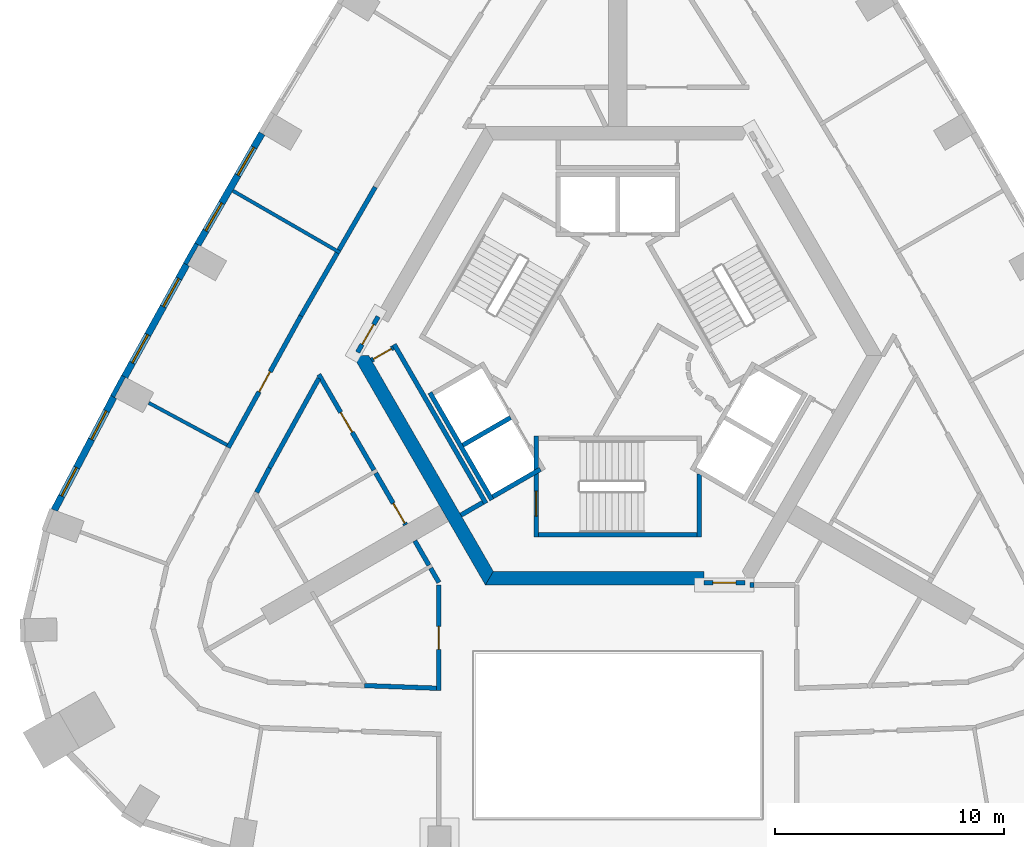
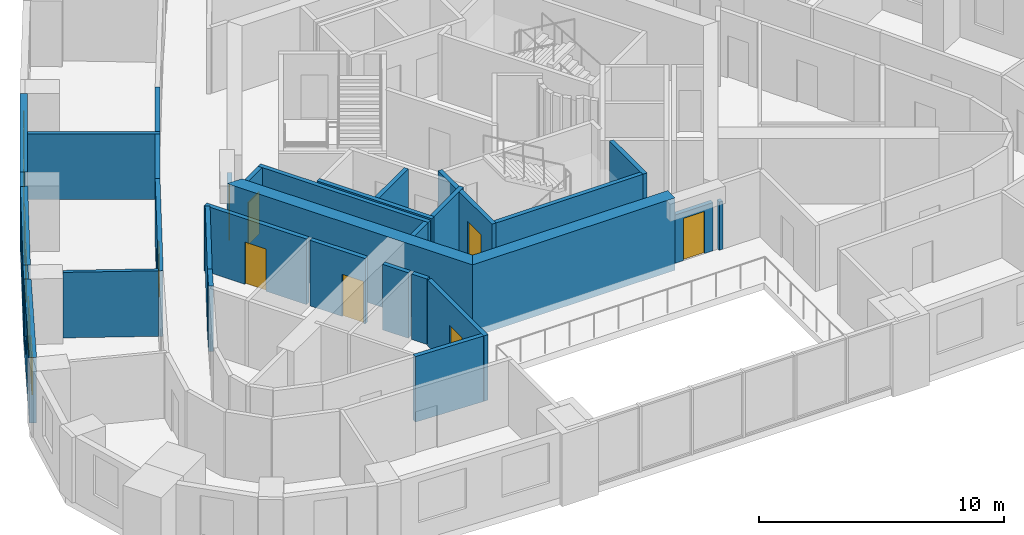
# One storey, part 4 of 10: 32 walls, 8 doors, 6 windows, 14 openings.
"""IFC4 building model written with IfcOpenShell, lengths in metres."""

import ifcopenshell
import ifcopenshell.guid

model = None  # the IFC model being written
_history = None  # IfcOwnerHistory: only IFC2X3 demands one
_inside = {}  # id of a spatial element -> (the spatial element, [elements in it])
_under = {}  # id of a project, library or spatial element -> (it, [spatial elements below it])
_declared = {}  # id of a project -> (the project, [libraries it declares])
_typed = {}  # id of a type object -> (the type object, [elements of that type])
_made_of = {}  # id of a material, layer set ... -> (it, [elements and type objects made of it])


def new_model(schema):
    """Start an empty IFC model of exactly this schema.

    Asked for "IFC4X3", IfcOpenShell would pick the latest addendum, in which some entities
    have other attributes; the version numbers below select the first issue.
    IFC2X3 requires an IfcOwnerHistory on every rooted entity: one is made here for all.
    """
    global model, _history
    if schema == "IFC4X3":
        model = ifcopenshell.file(schema_version=(4, 3, 0, 0))
    else:
        model = ifcopenshell.file(schema=schema)
    _inside.clear()
    _under.clear()
    _declared.clear()
    _typed.clear()
    _made_of.clear()
    _history = None
    if model.schema == "IFC2X3":
        org = make("IfcOrganization", Name="unknown")
        user = make(
            "IfcPersonAndOrganization",
            ThePerson=make("IfcPerson", FamilyName="unknown"),
            TheOrganization=org,
        )
        app = make(
            "IfcApplication",
            ApplicationDeveloper=org,
            Version="unknown",
            ApplicationFullName="unknown",
            ApplicationIdentifier="unknown",
        )
        _history = make(
            "IfcOwnerHistory",
            OwningUser=user,
            OwningApplication=app,
            ChangeAction="ADDED",
            CreationDate=0,
        )
    return model


def make(cls, **values):
    """One entity of the class cls with the attributes given. An attribute that is None is left unset."""
    return model.create_entity(
        cls, **{name: value for name, value in values.items() if value is not None}
    )


def rooted(cls, **values):
    """An entity with a GlobalId (a new one), such as an element, a storey or a relation."""
    return make(cls, GlobalId=ifcopenshell.guid.new(), OwnerHistory=_history, **values)


def si_unit(unit_type, name, prefix=None):
    """IfcSIUnit, for example si_unit("LENGTHUNIT", "METRE", prefix="MILLI")."""
    return make("IfcSIUnit", UnitType=unit_type, Prefix=prefix, Name=name)


def assignment(units):
    """IfcUnitAssignment: the units of a project."""
    return None if units is None else make("IfcUnitAssignment", Units=units)


def point(xyz):
    """IfcCartesianPoint."""
    return None if xyz is None else make("IfcCartesianPoint", Coordinates=xyz)


def direction(xyz):
    """IfcDirection."""
    return None if xyz is None else make("IfcDirection", DirectionRatios=xyz)


def frame(location, z_axis=None, x_axis=None):
    """IfcAxis2Placement3D, a coordinate frame: its origin and axes. An axis left out is left unset."""
    return make(
        "IfcAxis2Placement3D",
        Location=point(location),
        Axis=direction(z_axis),
        RefDirection=direction(x_axis),
    )


def frame_2d(location, x_axis=None):
    """IfcAxis2Placement2D, a coordinate frame in the plane: its origin and x axis."""
    return make(
        "IfcAxis2Placement2D", Location=point(location), RefDirection=direction(x_axis)
    )


def origin():
    """The frame at (0, 0, 0) with its axes left unset."""
    return frame((0.0, 0.0, 0.0))


def place(relative_to, where):
    """IfcLocalPlacement: puts the frame where relative to a parent placement (None: the world)."""
    return make(
        "IfcLocalPlacement", PlacementRelTo=relative_to, RelativePlacement=where
    )


def context(
    kind, dimensions, precision=None, world=None, true_north=None, identifier=None
):
    """IfcGeometricRepresentationContext, for example the 3D "Model" context."""
    return make(
        "IfcGeometricRepresentationContext",
        ContextIdentifier=identifier,
        ContextType=kind,
        CoordinateSpaceDimension=dimensions,
        Precision=precision,
        WorldCoordinateSystem=world,
        TrueNorth=true_north,
    )


def subcontext(parent, identifier, kind, view, scale=None):
    """IfcGeometricRepresentationSubContext, for example "Body" below "Model"."""
    return make(
        "IfcGeometricRepresentationSubContext",
        ContextIdentifier=identifier,
        ContextType=kind,
        ParentContext=parent,
        TargetScale=scale,
        TargetView=view,
    )


def project(units=None, contexts=None):
    """IfcProject with its units and contexts."""
    return rooted(
        "IfcProject",
        Name="project",
        RepresentationContexts=contexts,
        UnitsInContext=assignment(units),
    )


def spatial(cls, under=None, at=None, **own):
    """A site, building, storey or space (cls), placed at a placement, below another one or the project."""
    s = rooted(cls, ObjectPlacement=at, **own)
    if under is not None:
        _under.setdefault(under.id(), (under, []))[1].append(s)
    return s


def polyline(points):
    """IfcPolyline through the points."""
    return make("IfcPolyline", Points=[point(p) for p in points])


def profile(cls, at=None, kind="AREA", **sizes):
    """A parametric profile (cls). Its sizes go by their IFC names, for example OverallWidth=200.0."""
    return make(cls, ProfileType=kind, Position=at, **sizes)


def rectangle(**sizes):
    """IfcRectangleProfileDef."""
    return profile("IfcRectangleProfileDef", **sizes)


def outline(outer, holes=None, kind="AREA"):
    """IfcArbitraryClosedProfileDef: a profile drawn as a closed curve; with holes, ...WithVoids."""
    if holes is None:
        return make("IfcArbitraryClosedProfileDef", ProfileType=kind, OuterCurve=outer)
    return make(
        "IfcArbitraryProfileDefWithVoids",
        ProfileType=kind,
        OuterCurve=outer,
        InnerCurves=holes,
    )


def extrude(swept, where, along, depth):
    """IfcExtrudedAreaSolid: the profile swept, set in the frame where, extruded along a direction by depth."""
    return make(
        "IfcExtrudedAreaSolid",
        SweptArea=swept,
        Position=where,
        ExtrudedDirection=direction(along),
        Depth=depth,
    )


def shape(context_of_items, identifier, shape_type, items):
    """IfcShapeRepresentation: the items that make up one representation, for example the "Body"."""
    return make(
        "IfcShapeRepresentation",
        ContextOfItems=context_of_items,
        RepresentationIdentifier=identifier,
        RepresentationType=shape_type,
        Items=items,
    )


def material(Name=None, Category=None):
    """IfcMaterial."""
    return make("IfcMaterial", Name=Name, Category=Category)


def layer(
    of_material, thickness, ventilated=None, Name=None, Category=None, Priority=None
):
    """IfcMaterialLayer: one layer of a wall or slab, of a material (None: an air gap)."""
    return make(
        "IfcMaterialLayer",
        Material=of_material,
        LayerThickness=thickness,
        IsVentilated=ventilated,
        Name=Name,
        Category=Category,
        Priority=Priority,
    )


def layer_set(layers, Name=None):
    """IfcMaterialLayerSet."""
    return make("IfcMaterialLayerSet", MaterialLayers=layers, LayerSetName=Name)


def made_of(thing, what):
    """Note that an element or type object is made of a material, layer set ...; save() writes the relation."""
    if what is not None:
        _made_of.setdefault(what.id(), (what, []))[1].append(thing)
    return thing


def type_object(cls, material=None, **own):
    """A type object (cls), such as IfcWallType, which elements share."""
    return made_of(rooted(cls, **own), material)


def element(
    cls,
    number,
    at=None,
    inside=None,
    cuts=None,
    type_object=None,
    material=None,
    context=None,
    identifier="Body",
    shape_type=None,
    held_by="IfcProductDefinitionShape",
    body=None,
    shapes=None,
    **own,
):
    """One element of the class cls, such as IfcWall. Its Tag is "e" and its number.

    at: its placement. inside: the storey or other place that contains it. cuts: it is an
    opening in that element (IfcRelVoidsElement). A single representation is given by context,
    identifier, shape_type and body (its items); several are given by shapes. held_by: the class
    of the entity that holds the representations. save() writes the other relations.
    """
    e = rooted(cls, Tag="e%d" % number, ObjectPlacement=at, **own)
    if body is not None:
        shapes = [shape(context, identifier, shape_type, body)]
    if shapes is not None:
        e.Representation = make(held_by, Representations=shapes)
    if inside is not None:
        _inside.setdefault(inside.id(), (inside, []))[1].append(e)
    if cuts is not None:
        rooted(
            "IfcRelVoidsElement", RelatingBuildingElement=cuts, RelatedOpeningElement=e
        )
    if type_object is not None:
        _typed.setdefault(type_object.id(), (type_object, []))[1].append(e)
    return made_of(e, material)


def fill(opening, filler):
    """IfcRelFillsElement: the door or window that sits in an opening."""
    return rooted(
        "IfcRelFillsElement",
        RelatingOpeningElement=opening,
        RelatedBuildingElement=filler,
    )


def aggregate(whole, parts):
    """IfcRelAggregates: a whole, such as a stair, and the parts it consists of."""
    return rooted("IfcRelAggregates", RelatingObject=whole, RelatedObjects=parts)


def save(model, path):
    """Write the relations noted so far, then the file.

    IfcRelAggregates (storeys below a building ...), IfcRelContainedInSpatialStructure (elements
    in a storey), IfcRelDefinesByType, IfcRelAssociatesMaterial and IfcRelDeclares: one each for
    every whole, place, type object, material and project.
    """
    for whole, parts in _under.values():
        aggregate(whole, parts)
    for where, things in _inside.values():
        rooted(
            "IfcRelContainedInSpatialStructure",
            RelatedElements=things,
            RelatingStructure=where,
        )
    for kind, things in _typed.values():
        rooted("IfcRelDefinesByType", RelatedObjects=things, RelatingType=kind)
    for what, things in _made_of.values():
        rooted("IfcRelAssociatesMaterial", RelatedObjects=things, RelatingMaterial=what)
    for by, libraries in _declared.values():
        rooted("IfcRelDeclares", RelatingContext=by, RelatedDefinitions=libraries)
    model.write(path)


model = new_model("IFC4")

# Units and contexts
model_context = context("Model", 3, precision=1e-05, world=origin(), true_north=direction((0.0, 1.0)))
body_context = subcontext(model_context, "Body", "Model", "MODEL_VIEW")
ifc_project = project(units=[si_unit("LENGTHUNIT", "METRE"), si_unit("AREAUNIT", "SQUARE_METRE"), si_unit("VOLUMEUNIT", "CUBIC_METRE"), si_unit("PLANEANGLEUNIT", "RADIAN"), si_unit("MASSUNIT", "GRAM", prefix="KILO")], contexts=[model_context])

# Site, building, storey
site_placement = place(None, origin())
site = spatial("IfcSite", under=ifc_project, at=site_placement, CompositionType="ELEMENT")
building_placement = place(site_placement, origin())
building = spatial("IfcBuilding", under=site, at=building_placement, Name="Entoto Arch Interchange Tower", CompositionType="ELEMENT")
storey_placement = place(building_placement, frame((0.0, 0.0, 245.0)))
storey = spatial("IfcBuildingStorey", under=building, at=storey_placement, Name="L55", CompositionType="ELEMENT", Elevation=245.0)

# Wall, opening, door
ifc_material_1 = material(Name="Reinforced concrete C40/50", Category="concrete")
ifc_layer_1 = layer(ifc_material_1, 0.199951171875)
ifc_layer_set_1 = layer_set([ifc_layer_1], Name="Reinforced concrete C40/50")
wall_type_1 = type_object("IfcWallType", Name="CORE GAP INFILL WALL", PredefinedType="PARTITIONING", material=ifc_layer_set_1)
wall_1_placement = place(storey_placement, frame((3.75, -7.39990234375, 0.0), z_axis=(0.0, 0.0, 1.0), x_axis=(1.0, 0.0, 0.0)))
wall_1 = element("IfcWall", 1, at=wall_1_placement, inside=storey, type_object=wall_type_1, Name="wall:L55:gap1", PredefinedType="PARTITIONING", context=body_context, shape_type="SweptSolid", body=[
    extrude(rectangle(XDim=1.7939453125, YDim=0.199951171875, at=frame_2d((0.89697265625, 0.0))), origin(), (0.0, 0.0, 1.0), 2.39990234375),
])
opening_1_placement = place(wall_1_placement, frame((0.39697265625, 0.0, 0.0)))
opening_1 = element("IfcOpeningElement", 2, at=opening_1_placement, cuts=wall_1, Name="Opening L55-D91", PredefinedType="OPENING", context=body_context, shape_type="SweptSolid", body=[
    extrude(rectangle(XDim=1.0, YDim=2.10009765625, at=frame_2d((0.5, 1.050048828125))), frame((0.0, 0.10986328125, 0.0), z_axis=(0.0, -1.0, 0.0), x_axis=(1.0, 0.0, 0.0)), (0.0, 0.0, 1.0), 0.219970703125),
])
ifc_material_2 = material(Name="Fire-rated Steel S235 door and frame", Category="steel")
door_type_1 = type_object("IfcDoorType", Name="DOOR FD-10 1000x2100", OperationType="SINGLE_SWING_LEFT", PredefinedType="DOOR", material=ifc_material_2)
door_1_placement = place(opening_1_placement, origin())
door_1 = element("IfcDoor", 3, at=door_1_placement, inside=storey, type_object=door_type_1, Name="door:L55:gap1", OperationType="SINGLE_SWING_LEFT", OverallHeight=2.10009765625, OverallWidth=1.0, PredefinedType="DOOR", context=body_context, shape_type="SweptSolid", body=[
    extrude(rectangle(XDim=1.0, YDim=2.10009765625, at=frame_2d((0.5, 1.050048828125))), frame((0.0, 0.02490234375, 0.0), z_axis=(0.0, -1.0, 0.0), x_axis=(1.0, 0.0, 0.0)), (0.0, 0.0, 1.0), 0.050048828125),
])
fill(opening_1, door_1)

wall_2_placement = place(storey_placement, frame((-10.448974609375, 4.202880859375, 0.0), z_axis=(0.0, 0.0, 1.0), x_axis=(-0.499914839587, -0.866074565589, 0.0)))
wall_2 = element("IfcWall", 4, at=wall_2_placement, inside=storey, type_object=wall_type_1, Name="wall:L55:gap3", PredefinedType="PARTITIONING", context=body_context, shape_type="SweptSolid", body=[
    extrude(rectangle(XDim=1.794189453125, YDim=0.199951171875, at=frame_2d((0.89697265625, 0.0))), origin(), (0.0, 0.0, 1.0), 2.39990234375),
])
opening_2_placement = place(wall_2_placement, frame((0.39697265625, 0.0, 0.0)))
opening_2 = element("IfcOpeningElement", 5, at=opening_2_placement, cuts=wall_2, Name="Opening L55-D93", PredefinedType="OPENING", context=body_context, shape_type="SweptSolid", body=[
    extrude(rectangle(XDim=1.0, YDim=2.10009765625, at=frame_2d((0.5, 1.050048828125))), frame((0.0, 0.10986328125, 0.0), z_axis=(0.0, -1.0, 0.0), x_axis=(1.0, 0.0, 0.0)), (0.0, 0.0, 1.0), 0.219970703125),
])
door_2_placement = place(opening_2_placement, origin())
door_2 = element("IfcDoor", 6, at=door_2_placement, inside=storey, type_object=door_type_1, Name="door:L55:gap3", OperationType="SINGLE_SWING_LEFT", OverallHeight=2.10009765625, OverallWidth=1.0, PredefinedType="DOOR", context=body_context, shape_type="SweptSolid", body=[
    extrude(rectangle(XDim=1.0, YDim=2.10009765625, at=frame_2d((0.5, 1.050048828125))), frame((0.0, 0.02490234375, 0.0), z_axis=(0.0, -1.0, 0.0), x_axis=(1.0, 0.0, 0.0)), (0.0, 0.0, 1.0), 0.050048828125),
])
fill(opening_2, door_2)

# Walls
ifc_material_3 = material(Name="Concrete C40/50", Category="concrete")
ifc_layer_2 = layer(ifc_material_3, 0.60009765625)
ifc_layer_set_2 = layer_set([ifc_layer_2], Name="Concrete C40/50")
wall_type_2 = type_object("IfcWallType", Name="Core wall 600 C40/50", PredefinedType="SHEAR", material=ifc_layer_set_2)
wall_3_placement = place(storey_placement, frame((0.0, 0.0, -0.340087890625)))
element("IfcWall", 7, at=wall_3_placement, inside=storey, type_object=wall_type_2, Name="Core wall SW L55", PredefinedType="SHEAR", context=body_context, shape_type="SweptSolid", body=[
    extrude(outline(polyline([(-11.547119140625, 2.5), (-5.77392578125, -7.5), (-5.427001953125, -6.89990234375), (-10.85400390625, 2.5), (-11.547119140625, 2.5)])), origin(), (0.0, 0.0, 1.0), 3.60009765625),
])
wall_4_placement = place(storey_placement, frame((0.0, 0.0, -0.340087890625)))
element("IfcWall", 8, at=wall_4_placement, inside=storey, type_object=wall_type_2, Name="Core wall S L55", PredefinedType="SHEAR", context=body_context, shape_type="SweptSolid", body=[
    extrude(outline(polyline([(3.75, -7.5), (3.75, -6.89990234375), (-5.427001953125, -6.89990234375), (-5.77392578125, -7.5), (3.75, -7.5)])), origin(), (0.0, 0.0, 1.0), 3.60009765625),
])
ifc_layer_3 = layer(ifc_material_3, 0.199951171875)
ifc_layer_set_3 = layer_set([ifc_layer_3], Name="Concrete C40/50")
wall_type_3 = type_object("IfcWallType", Name="LIFT SHAFT WALL 200", PredefinedType="STANDARD", material=ifc_layer_set_3)
wall_5_placement = place(storey_placement, frame((-8.19189453125, 0.887939453125, 0.0), z_axis=(0.0, 0.0, 1.0), x_axis=(0.500034260056, -0.866005622828, 0.0)))
element("IfcWall", 9, at=wall_5_placement, inside=storey, type_object=wall_type_3, Name="Shaft wall SW1 back", PredefinedType="STANDARD", context=body_context, shape_type="SweptSolid", body=[
    extrude(rectangle(XDim=5.3994140625, YDim=0.199951171875, at=frame_2d((2.69970703125, 0.0))), origin(), (0.0, 0.0, 1.0), 3.260009765625),
])
wall_6_placement = place(storey_placement, frame((-4.677001953125, -0.199951171875, 0.0), z_axis=(0.0, 0.0, 1.0), x_axis=(-0.865973769406, -0.500089422704, 0.0)))
element("IfcWall", 10, at=wall_6_placement, inside=storey, type_object=wall_type_3, Name="Shaft wall SW1 cross 2", PredefinedType="STANDARD", context=body_context, shape_type="SweptSolid", body=[
    extrude(rectangle(XDim=2.3994140625, YDim=0.199951171875, at=frame_2d((1.19970703125, 0.0))), origin(), (0.0, 0.0, 1.0), 3.260009765625),
])
wall_7_placement = place(storey_placement, frame((-3.376953125, -2.451904296875, 0.0), z_axis=(0.0, 0.0, 1.0), x_axis=(-0.865955154139, -0.50012165622, 0.0)))
element("IfcWall", 11, at=wall_7_placement, inside=storey, type_object=wall_type_3, Name="Shaft wall SW1 cross 3", PredefinedType="STANDARD", context=body_context, shape_type="SweptSolid", body=[
    extrude(rectangle(XDim=2.39990234375, YDim=0.199951171875, at=frame_2d((1.199951171875, 0.0))), origin(), (0.0, 0.0, 1.0), 3.260009765625),
])
ifc_material_4 = material(Name="Gypsum board partition on steel studs", Category="steel")
ifc_layer_4 = layer(ifc_material_4, 0.14990234375)
ifc_layer_set_4 = layer_set([ifc_layer_4], Name="Gypsum board partition on steel studs")
wall_type_4 = type_object("IfcWallType", Name="PARTITION 150", PredefinedType="PARTITIONING", material=ifc_layer_set_4)
wall_8_placement = place(storey_placement, frame((-12.110107421875, 6.991943359375, 0.0), z_axis=(0.0, 0.0, 1.0), x_axis=(-0.865994316829, 0.50005384032, 0.0)))
element("IfcWall", 12, at=wall_8_placement, inside=storey, type_object=wall_type_4, Name="wall:L55:p111", PredefinedType="PARTITIONING", context=body_context, shape_type="SweptSolid", body=[
    extrude(rectangle(XDim=5.3994140625, YDim=0.14990234375, at=frame_2d((2.69970703125, 0.0))), origin(), (0.0, 0.0, 1.0), 3.260009765625),
])
wall_9_placement = place(storey_placement, frame((-17.034912109375, -1.39599609375, 0.0), z_axis=(0.0, 0.0, 1.0), x_axis=(-0.88055795398, 0.473938487234, 0.0)))
element("IfcWall", 13, at=wall_9_placement, inside=storey, type_object=wall_type_4, Name="wall:L55:p112", PredefinedType="PARTITIONING", context=body_context, shape_type="SweptSolid", body=[
    extrude(rectangle(XDim=3.88037109375, YDim=0.14990234375, at=frame_2d((1.940185546875, 0.0))), origin(), (0.0, 0.0, 1.0), 3.260009765625),
])

# Wall, opening, door
ifc_layer_5 = layer(ifc_material_4, 0.199951171875)
ifc_layer_set_5 = layer_set([ifc_layer_5], Name="Gypsum board partition on steel studs")
wall_type_5 = type_object("IfcWallType", Name="PARTITION 200", PredefinedType="PARTITIONING", material=ifc_layer_set_5)
wall_10_placement = place(storey_placement, frame((-10.6298828125, -2.488037109375, 0.0), z_axis=(0.0, 0.0, 1.0), x_axis=(-0.500108649621, 0.865962665808, 0.0)))
wall_10 = element("IfcWall", 14, at=wall_10_placement, inside=storey, type_object=wall_type_5, Name="wall:L55:p022", PredefinedType="PARTITIONING", context=body_context, shape_type="SweptSolid", body=[
    extrude(rectangle(XDim=4.8154296875, YDim=0.199951171875, at=frame_2d((2.40771484375, 0.0))), origin(), (0.0, 0.0, 1.0), 3.260009765625),
])
opening_3_placement = place(wall_10_placement, frame((1.907958984375, 0.0, 0.0)))
opening_3 = element("IfcOpeningElement", 15, at=opening_3_placement, cuts=wall_10, Name="Opening L55-D19", PredefinedType="OPENING", context=body_context, shape_type="SweptSolid", body=[
    extrude(rectangle(XDim=1.0, YDim=2.10009765625, at=frame_2d((0.5, 1.050048828125))), frame((0.0, 0.10986328125, 0.0), z_axis=(0.0, -1.0, 0.0), x_axis=(1.0, 0.0, 0.0)), (0.0, 0.0, 1.0), 0.219970703125),
])
ifc_material_5 = material(Name="Timber door leaf in Steel S235 frame", Category="steel")
door_type_2 = type_object("IfcDoorType", Name="DOOR DS-10 1000x2100", OperationType="SINGLE_SWING_LEFT", PredefinedType="DOOR", material=ifc_material_5)
door_3_placement = place(opening_3_placement, origin())
door_3 = element("IfcDoor", 16, at=door_3_placement, inside=storey, type_object=door_type_2, Name="door:L55:19", OperationType="SINGLE_SWING_LEFT", OverallHeight=2.10009765625, OverallWidth=1.0, PredefinedType="DOOR", context=body_context, shape_type="SweptSolid", body=[
    extrude(rectangle(XDim=1.0, YDim=2.10009765625, at=frame_2d((0.5, 1.050048828125))), frame((0.0, 0.02490234375, 0.0), z_axis=(0.0, -1.0, 0.0), x_axis=(1.0, 0.0, 0.0)), (0.0, 0.0, 1.0), 0.050048828125),
])
fill(opening_3, door_3)

# Walls
wall_11_placement = place(storey_placement, frame((-13.035888671875, 1.508056640625, 0.0), z_axis=(0.0, 0.0, 1.0), x_axis=(-0.482884552822, -0.87568402329, 0.0)))
element("IfcWall", 17, at=wall_11_placement, inside=storey, type_object=wall_type_5, Name="wall:L55:p023", PredefinedType="PARTITIONING", context=body_context, shape_type="SweptSolid", body=[
    extrude(rectangle(XDim=4.45263671875, YDim=0.199951171875, at=frame_2d((2.226318359375, 0.0))), origin(), (0.0, 0.0, 1.0), 3.260009765625),
])
wall_12_placement = place(storey_placement, frame((-15.18603515625, -2.39111328125, 0.0), z_axis=(0.0, 0.0, 1.0), x_axis=(-0.464794189951, -0.885418748948, 0.0)))
element("IfcWall", 18, at=wall_12_placement, inside=storey, type_object=wall_type_5, Name="wall:L55:p024", PredefinedType="PARTITIONING", context=body_context, shape_type="SweptSolid", body=[
    extrude(rectangle(XDim=1.205078125, YDim=0.199951171875, at=frame_2d((0.6025390625, 0.0))), origin(), (0.0, 0.0, 1.0), 3.260009765625),
])
wall_13_placement = place(storey_placement, frame((-8.235107421875, -6.635986328125, 0.0), z_axis=(0.0, 0.0, 1.0), x_axis=(-0.500089055364, 0.86597398154, 0.0)))
element("IfcWall", 19, at=wall_13_placement, inside=storey, type_object=wall_type_5, Name="wall:L55:p025", PredefinedType="PARTITIONING", context=body_context, shape_type="SweptSolid", body=[
    extrude(rectangle(XDim=1.229736328125, YDim=0.199951171875, at=frame_2d((0.61474609375, 0.0))), origin(), (0.0, 0.0, 1.0), 3.260009765625),
])
wall_14_placement = place(storey_placement, frame((-7.800048828125, -7.389892578125, 0.0), z_axis=(0.0, 0.0, 1.0), x_axis=(-0.499712670472, 0.866191230024, 0.0)))
element("IfcWall", 20, at=wall_14_placement, inside=storey, type_object=wall_type_5, Name="wall:L55:p026", PredefinedType="PARTITIONING", context=body_context, shape_type="SweptSolid", body=[
    extrude(rectangle(XDim=0.72021484375, YDim=0.199951171875, at=frame_2d((0.360107421875, 0.0))), origin(), (0.0, 0.0, 1.0), 3.260009765625),
])
wall_15_placement = place(storey_placement, frame((-11.052001953125, -11.884033203125, 0.0), z_axis=(0.0, 0.0, 1.0), x_axis=(0.999335249241, -0.036456270033, 0.0)))
element("IfcWall", 21, at=wall_15_placement, inside=storey, type_object=wall_type_5, Name="wall:L55:p027", PredefinedType="PARTITIONING", context=body_context, shape_type="SweptSolid", body=[
    extrude(rectangle(XDim=3.154296875, YDim=0.199951171875, at=frame_2d((1.5771484375, 0.0))), origin(), (0.0, 0.0, 1.0), 3.260009765625),
])
wall_16_placement = place(storey_placement, frame((-12.158935546875, 7.10693359375, 0.0), z_axis=(0.0, 0.0, 1.0), x_axis=(0.499953838557, 0.866052053466, 0.0)))
element("IfcWall", 22, at=wall_16_placement, inside=storey, type_object=wall_type_5, Name="wall:L55:p052", PredefinedType="PARTITIONING", context=body_context, shape_type="SweptSolid", body=[
    extrude(rectangle(XDim=3.166259765625, YDim=0.199951171875, at=frame_2d((1.5830078125, 0.0))), origin(), (0.0, 0.0, 1.0), 3.260009765625),
])

# Wall, opening, door
wall_17_placement = place(storey_placement, frame((-16.98291015625, -1.509033203125, 0.0), z_axis=(0.0, 0.0, 1.0), x_axis=(0.482785999899, 0.875738361785, 0.0)))
wall_17 = element("IfcWall", 23, at=wall_17_placement, inside=storey, type_object=wall_type_5, Name="wall:L55:p054", PredefinedType="PARTITIONING", context=body_context, shape_type="SweptSolid", body=[
    extrude(rectangle(XDim=6.557861328125, YDim=0.199951171875, at=frame_2d((3.27880859375, 0.0))), origin(), (0.0, 0.0, 1.0), 3.260009765625),
])
opening_4_placement = place(wall_17_placement, frame((2.779052734375, 0.0, 0.0)))
opening_4 = element("IfcOpeningElement", 24, at=opening_4_placement, cuts=wall_17, Name="Opening L55-D10", PredefinedType="OPENING", context=body_context, shape_type="SweptSolid", body=[
    extrude(rectangle(XDim=1.0, YDim=2.10009765625, at=frame_2d((0.5, 1.050048828125))), frame((0.0, 0.10986328125, 0.0), z_axis=(0.0, -1.0, 0.0), x_axis=(1.0, 0.0, 0.0)), (0.0, 0.0, 1.0), 0.219970703125),
])
door_4_placement = place(opening_4_placement, origin())
door_4 = element("IfcDoor", 25, at=door_4_placement, inside=storey, type_object=door_type_2, Name="door:L55:10", OperationType="SINGLE_SWING_LEFT", OverallHeight=2.10009765625, OverallWidth=1.0, PredefinedType="DOOR", context=body_context, shape_type="SweptSolid", body=[
    extrude(rectangle(XDim=1.0, YDim=2.10009765625, at=frame_2d((0.5, 1.050048828125))), frame((0.0, 0.02490234375, 0.0), z_axis=(0.0, -1.0, 0.0), x_axis=(1.0, 0.0, 0.0)), (0.0, 0.0, 1.0), 0.050048828125),
])
fill(opening_4, door_4)

# Walls
wall_18_placement = place(storey_placement, frame((-13.81689453125, 4.23388671875, 0.0), z_axis=(0.0, 0.0, 1.0), x_axis=(0.499820325382, 0.866129114125, 0.0)))
element("IfcWall", 26, at=wall_18_placement, inside=storey, type_object=wall_type_5, Name="wall:L55:p055", PredefinedType="PARTITIONING", context=body_context, shape_type="SweptSolid", body=[
    extrude(rectangle(XDim=3.167236328125, YDim=0.199951171875, at=frame_2d((1.58349609375, 0.0))), origin(), (0.0, 0.0, 1.0), 3.260009765625),
])
wall_19_placement = place(storey_placement, frame((-5.887939453125, -3.902099609375, 0.0), z_axis=(0.0, 0.0, 1.0), x_axis=(-0.86621513555, -0.499671230855, 0.0)))
element("IfcWall", 27, at=wall_19_placement, inside=storey, type_object=wall_type_5, Name="wall:L55:p068", PredefinedType="PARTITIONING", context=body_context, shape_type="SweptSolid", body=[
    extrude(rectangle(XDim=1.100341796875, YDim=0.199951171875, at=frame_2d((0.55029296875, 0.0))), origin(), (0.0, 0.0, 1.0), 3.260009765625),
])

# Wall, opening, door
wall_20_placement = place(storey_placement, frame((-10.740966796875, 2.302978515625, 0.0), z_axis=(0.0, 0.0, 1.0), x_axis=(0.866063652425, 0.499933745558, 0.0)))
wall_20 = element("IfcWall", 28, at=wall_20_placement, inside=storey, type_object=wall_type_5, Name="wall:L55:p069", PredefinedType="PARTITIONING", context=body_context, shape_type="SweptSolid", body=[
    extrude(rectangle(XDim=1.100341796875, YDim=0.199951171875, at=frame_2d((0.55029296875, 0.0))), origin(), (0.0, 0.0, 1.0), 3.260009765625),
])
opening_5_placement = place(wall_20_placement, frame((0.10009765625, 0.0, 0.0)))
opening_5 = element("IfcOpeningElement", 29, at=opening_5_placement, cuts=wall_20, Name="Opening L55-D30", PredefinedType="OPENING", context=body_context, shape_type="SweptSolid", body=[
    extrude(rectangle(XDim=0.89990234375, YDim=2.10009765625, at=frame_2d((0.449951171875, 1.050048828125))), frame((0.0, 0.10986328125, 0.0), z_axis=(0.0, -1.0, 0.0), x_axis=(1.0, 0.0, 0.0)), (0.0, 0.0, 1.0), 0.219970703125),
])
door_type_3 = type_object("IfcDoorType", Name="DOOR DS-09 900x2100", OperationType="SINGLE_SWING_LEFT", PredefinedType="DOOR", material=ifc_material_5)
door_5_placement = place(opening_5_placement, origin())
door_5 = element("IfcDoor", 30, at=door_5_placement, inside=storey, type_object=door_type_3, Name="door:L55:30", OperationType="SINGLE_SWING_RIGHT", OverallHeight=2.10009765625, OverallWidth=0.89990234375, PredefinedType="DOOR", context=body_context, shape_type="SweptSolid", body=[
    extrude(rectangle(XDim=0.89990234375, YDim=2.10009765625, at=frame_2d((0.449951171875, 1.050048828125))), frame((0.0, 0.02490234375, 0.0), z_axis=(0.0, -1.0, 0.0), x_axis=(1.0, 0.0, 0.0)), (0.0, 0.0, 1.0), 0.050048828125),
])
fill(opening_5, door_5)

# Walls
wall_21_placement = place(storey_placement, frame((-9.7509765625, 2.989990234375, 0.0), z_axis=(0.0, 0.0, 1.0), x_axis=(0.500012163284, -0.866018381195, 0.0)))
element("IfcWall", 31, at=wall_21_placement, inside=storey, type_object=wall_type_5, Name="wall:L55:p070", PredefinedType="PARTITIONING", context=body_context, shape_type="SweptSolid", body=[
    extrude(rectangle(XDim=7.999755859375, YDim=0.199951171875, at=frame_2d((4.0, 0.0))), origin(), (0.0, 0.0, 1.0), 3.260009765625),
])
wall_22_placement = place(storey_placement, frame((5.77490234375, -7.4990234375, 0.0), z_axis=(0.0, 0.0, 1.0), x_axis=(1.0, 0.0, 0.0)))
element("IfcWall", 32, at=wall_22_placement, inside=storey, type_object=wall_type_5, Name="wall:L55:p072", PredefinedType="PARTITIONING", context=body_context, shape_type="SweptSolid", body=[
    extrude(rectangle(XDim=0.169189453125, YDim=0.199951171875, at=frame_2d((0.08447265625, 0.0))), origin(), (0.0, 0.0, 1.0), 2.39990234375),
])

# Wall, opening, door
wall_23_placement = place(storey_placement, frame((-7.800048828125, -12.10302734375, 0.0), z_axis=(0.0, 0.0, 1.0), x_axis=(0.0, 1.0, 0.0)))
wall_23 = element("IfcWall", 33, at=wall_23_placement, inside=storey, type_object=wall_type_5, Name="wall:L55:p088", PredefinedType="PARTITIONING", context=body_context, shape_type="SweptSolid", body=[
    extrude(rectangle(XDim=4.60400390625, YDim=0.199951171875, at=frame_2d((2.302001953125, 0.0))), origin(), (0.0, 0.0, 1.0), 3.260009765625),
])
opening_6_placement = place(wall_23_placement, frame((1.802001953125, 0.0, 0.0)))
opening_6 = element("IfcOpeningElement", 34, at=opening_6_placement, cuts=wall_23, Name="Opening L55-D21", PredefinedType="OPENING", context=body_context, shape_type="SweptSolid", body=[
    extrude(rectangle(XDim=1.0, YDim=2.10009765625, at=frame_2d((0.5, 1.050048828125))), frame((0.0, 0.10986328125, 0.0), z_axis=(0.0, -1.0, 0.0), x_axis=(1.0, 0.0, 0.0)), (0.0, 0.0, 1.0), 0.219970703125),
])
door_6_placement = place(opening_6_placement, origin())
door_6 = element("IfcDoor", 35, at=door_6_placement, inside=storey, type_object=door_type_2, Name="door:L55:21", OperationType="SINGLE_SWING_LEFT", OverallHeight=2.10009765625, OverallWidth=1.0, PredefinedType="DOOR", context=body_context, shape_type="SweptSolid", body=[
    extrude(rectangle(XDim=1.0, YDim=2.10009765625, at=frame_2d((0.5, 1.050048828125))), frame((0.0, 0.02490234375, 0.0), z_axis=(0.0, -1.0, 0.0), x_axis=(1.0, 0.0, 0.0)), (0.0, 0.0, 1.0), 0.050048828125),
])
fill(opening_6, door_6)

wall_24_placement = place(storey_placement, frame((-9.25, -4.8779296875, 0.0), z_axis=(0.0, 0.0, 1.0), x_axis=(-0.500032875382, 0.866006422342, 0.0)))
wall_24 = element("IfcWall", 36, at=wall_24_placement, inside=storey, type_object=wall_type_5, Name="wall:L55:p025", PredefinedType="PARTITIONING", context=body_context, shape_type="SweptSolid", body=[
    extrude(rectangle(XDim=2.609619140625, YDim=0.199951171875, at=frame_2d((1.3046875, 0.0))), origin(), (0.0, 0.0, 1.0), 3.260009765625),
])
opening_7_placement = place(wall_24_placement, frame((0.090087890625, 0.0, 0.0)))
opening_7 = element("IfcOpeningElement", 37, at=opening_7_placement, cuts=wall_24, Name="Opening L55-D20", PredefinedType="OPENING", context=body_context, shape_type="SweptSolid", body=[
    extrude(rectangle(XDim=1.0, YDim=2.10009765625, at=frame_2d((0.5, 1.050048828125))), frame((0.0, 0.10986328125, 0.0), z_axis=(0.0, -1.0, 0.0), x_axis=(1.0, 0.0, 0.0)), (0.0, 0.0, 1.0), 0.219970703125),
])
door_7_placement = place(opening_7_placement, origin())
door_7 = element("IfcDoor", 38, at=door_7_placement, inside=storey, type_object=door_type_2, Name="door:L55:20", OperationType="SINGLE_SWING_LEFT", OverallHeight=2.10009765625, OverallWidth=1.0, PredefinedType="DOOR", context=body_context, shape_type="SweptSolid", body=[
    extrude(rectangle(XDim=1.0, YDim=2.10009765625, at=frame_2d((0.5, 1.050048828125))), frame((0.0, 0.02490234375, 0.0), z_axis=(0.0, -1.0, 0.0), x_axis=(1.0, 0.0, 0.0)), (0.0, 0.0, 1.0), 0.050048828125),
])
fill(opening_7, door_7)

ifc_layer_6 = layer(ifc_material_3, 0.199951171875)
ifc_layer_set_6 = layer_set([ifc_layer_6], Name="Concrete C40/50")
wall_type_6 = type_object("IfcWallType", Name="STAIR ENCLOSURE WALL 200", PredefinedType="STANDARD", material=ifc_layer_set_6)
wall_25_placement = place(storey_placement, frame((-3.550048828125, -1.0, 0.0), z_axis=(0.0, 0.0, 1.0), x_axis=(0.0, -1.0, 0.0)))
wall_25 = element("IfcWall", 39, at=wall_25_placement, inside=storey, type_object=wall_type_6, Name="Stair wall ST-S near", PredefinedType="STANDARD", context=body_context, shape_type="SweptSolid", body=[
    extrude(rectangle(XDim=4.39990234375, YDim=0.199951171875, at=frame_2d((2.199951171875, 0.0))), origin(), (0.0, 0.0, 1.0), 3.260009765625),
])
opening_8_placement = place(wall_25_placement, frame((2.39990234375, 0.0, 0.0)))
opening_8 = element("IfcOpeningElement", 40, at=opening_8_placement, cuts=wall_25, Name="Opening SD-ST-S-L55-E", PredefinedType="OPENING", context=body_context, shape_type="SweptSolid", body=[
    extrude(rectangle(XDim=1.10009765625, YDim=2.199951171875, at=frame_2d((0.550048828125, 1.10009765625))), frame((0.0, 0.10986328125, 0.0), z_axis=(0.0, -1.0, 0.0), x_axis=(1.0, 0.0, 0.0)), (0.0, 0.0, 1.0), 0.219970703125),
])
ifc_material_6 = material(Name="Steel S235", Category="steel")
door_type_4 = type_object("IfcDoorType", Name="STAIR DOOR SD1 1100x2200", OperationType="SINGLE_SWING_LEFT", PredefinedType="DOOR", material=ifc_material_6)
door_8_placement = place(opening_8_placement, origin())
door_8 = element("IfcDoor", 41, at=door_8_placement, inside=storey, type_object=door_type_4, Name="Stair door ST-S L55 end", OperationType="SINGLE_SWING_LEFT", OverallHeight=2.199951171875, OverallWidth=1.10009765625, PredefinedType="DOOR", context=body_context, shape_type="SweptSolid", body=[
    extrude(rectangle(XDim=1.10009765625, YDim=2.199951171875, at=frame_2d((0.550048828125, 1.10009765625))), frame((0.0, 0.02490234375, 0.0), z_axis=(0.0, -1.0, 0.0), x_axis=(1.0, 0.0, 0.0)), (0.0, 0.0, 1.0), 0.050048828125),
])
fill(opening_8, door_8)

# Walls
wall_26_placement = place(storey_placement, frame((3.550048828125, -2.6669921875, 0.0), z_axis=(0.0, 0.0, 1.0), x_axis=(0.0, -1.0, 0.0)))
element("IfcWall", 42, at=wall_26_placement, inside=storey, type_object=wall_type_6, Name="Stair wall ST-S far", PredefinedType="STANDARD", context=body_context, shape_type="SweptSolid", body=[
    extrude(rectangle(XDim=2.73291015625, YDim=0.199951171875, at=frame_2d((1.366455078125, 0.0))), origin(), (0.0, 0.0, 1.0), 3.260009765625),
])
wall_27_placement = place(storey_placement, frame((-3.449951171875, -5.300048828125, 0.0), z_axis=(0.0, 0.0, 1.0), x_axis=(1.0, 0.0, 0.0)))
element("IfcWall", 43, at=wall_27_placement, inside=storey, type_object=wall_type_6, Name="Stair wall ST-S back", PredefinedType="STANDARD", context=body_context, shape_type="SweptSolid", body=[
    extrude(rectangle(XDim=6.89990234375, YDim=0.199951171875, at=frame_2d((3.449951171875, 0.0))), origin(), (0.0, 0.0, 1.0), 3.260009765625),
])

# Wall, openings, windows
ifc_material_7 = material(Name="Welded tuff (ignimbrite) cladding, warm buff", Category="masonry")
ifc_layer_7 = layer(ifc_material_7, 0.300048828125)
ifc_layer_set_7 = layer_set([ifc_layer_7], Name="Welded tuff (ignimbrite) cladding, warm buff")
wall_type_7 = type_object("IfcWallType", Name="STONE INFILL WALL 300", PredefinedType="STANDARD", material=ifc_layer_set_7)
wall_28_placement = place(storey_placement, frame((-15.51806640625, 12.18896484375, 0.0), z_axis=(0.0, 0.0, 1.0), x_axis=(-0.49995037644, -0.866054052065, 0.0)))
wall_28 = element("IfcWall", 44, at=wall_28_placement, inside=storey, type_object=wall_type_7, Name="Facade wall NW-03 L55", PredefinedType="STANDARD", context=body_context, shape_type="SweptSolid", body=[
    extrude(rectangle(XDim=5.59423828125, YDim=0.300048828125, at=frame_2d((2.797119140625, 0.0))), origin(), (0.0, 0.0, 1.0), 3.260009765625),
])
opening_9_placement = place(wall_28_placement, frame((0.698974609375, 0.0, 0.89990234375)))
opening_9 = element("IfcOpeningElement", 45, at=opening_9_placement, cuts=wall_28, Name="Opening WH-B", PredefinedType="OPENING", context=body_context, shape_type="SweptSolid", body=[
    extrude(rectangle(XDim=1.39990234375, YDim=2.0, at=frame_2d((0.699951171875, 1.0))), frame((0.0, 0.16015625, 0.0), z_axis=(0.0, -1.0, 0.0), x_axis=(1.0, 0.0, 0.0)), (0.0, 0.0, 1.0), 0.320068359375),
])
opening_10_placement = place(wall_28_placement, frame((3.49609375, 0.0, 0.89990234375)))
opening_10 = element("IfcOpeningElement", 46, at=opening_10_placement, cuts=wall_28, Name="Opening WH-B", PredefinedType="OPENING", context=body_context, shape_type="SweptSolid", body=[
    extrude(rectangle(XDim=1.39990234375, YDim=2.0, at=frame_2d((0.699951171875, 1.0))), frame((0.0, 0.16015625, 0.0), z_axis=(0.0, -1.0, 0.0), x_axis=(1.0, 0.0, 0.0)), (0.0, 0.0, 1.0), 0.320068359375),
])
ifc_material_8 = material(Name="Clear glass, low-e double glazed", Category="glass")
window_type = type_object("IfcWindowType", Name="WINDOW WH-B 1400x2000", PartitioningType="DOUBLE_PANEL_VERTICAL", PredefinedType="WINDOW", material=ifc_material_8)
window_1_placement = place(opening_9_placement, origin())
window_1 = element("IfcWindow", 47, at=window_1_placement, inside=storey, type_object=window_type, Name="Window WH-B NW-03 L55", OverallHeight=2.0, OverallWidth=1.39990234375, PartitioningType="SINGLE_PANEL", PredefinedType="WINDOW", context=body_context, shape_type="SweptSolid", body=[
    extrude(rectangle(XDim=1.39990234375, YDim=2.0, at=frame_2d((0.699951171875, 1.0))), frame((0.0, 0.030029296875, 0.0), z_axis=(0.0, -1.0, 0.0), x_axis=(1.0, 0.0, 0.0)), (0.0, 0.0, 1.0), 0.06005859375),
])
fill(opening_9, window_1)
window_2_placement = place(opening_10_placement, origin())
window_2 = element("IfcWindow", 48, at=window_2_placement, inside=storey, type_object=window_type, Name="Window WH-B NW-03 L55", OverallHeight=2.0, OverallWidth=1.39990234375, PartitioningType="SINGLE_PANEL", PredefinedType="WINDOW", context=body_context, shape_type="SweptSolid", body=[
    extrude(rectangle(XDim=1.39990234375, YDim=2.0, at=frame_2d((0.699951171875, 1.0))), frame((0.0, 0.030029296875, 0.0), z_axis=(0.0, -1.0, 0.0), x_axis=(1.0, 0.0, 0.0)), (0.0, 0.0, 1.0), 0.06005859375),
])
fill(opening_10, window_2)

wall_29_placement = place(storey_placement, frame((-18.804931640625, 6.47509765625, 0.0), z_axis=(0.0, 0.0, 1.0), x_axis=(-0.482734585173, -0.875766704253, 0.0)))
wall_29 = element("IfcWall", 49, at=wall_29_placement, inside=storey, type_object=wall_type_7, Name="Facade wall NW-04 L55", PredefinedType="STANDARD", context=body_context, shape_type="SweptSolid", body=[
    extrude(rectangle(XDim=5.593017578125, YDim=0.300048828125, at=frame_2d((2.79638671875, 0.0))), origin(), (0.0, 0.0, 1.0), 3.260009765625),
])
opening_11_placement = place(wall_29_placement, frame((0.697998046875, 0.0, 0.89990234375)))
opening_11 = element("IfcOpeningElement", 50, at=opening_11_placement, cuts=wall_29, Name="Opening WH-B", PredefinedType="OPENING", context=body_context, shape_type="SweptSolid", body=[
    extrude(rectangle(XDim=1.39990234375, YDim=2.0, at=frame_2d((0.699951171875, 1.0))), frame((0.0, 0.16015625, 0.0), z_axis=(0.0, -1.0, 0.0), x_axis=(1.0, 0.0, 0.0)), (0.0, 0.0, 1.0), 0.320068359375),
])
opening_12_placement = place(wall_29_placement, frame((3.4951171875, 0.0, 0.89990234375)))
opening_12 = element("IfcOpeningElement", 51, at=opening_12_placement, cuts=wall_29, Name="Opening WH-B", PredefinedType="OPENING", context=body_context, shape_type="SweptSolid", body=[
    extrude(rectangle(XDim=1.39990234375, YDim=2.0, at=frame_2d((0.699951171875, 1.0))), frame((0.0, 0.16015625, 0.0), z_axis=(0.0, -1.0, 0.0), x_axis=(1.0, 0.0, 0.0)), (0.0, 0.0, 1.0), 0.320068359375),
])
window_3_placement = place(opening_11_placement, origin())
window_3 = element("IfcWindow", 52, at=window_3_placement, inside=storey, type_object=window_type, Name="Window WH-B NW-04 L55", OverallHeight=2.0, OverallWidth=1.39990234375, PartitioningType="SINGLE_PANEL", PredefinedType="WINDOW", context=body_context, shape_type="SweptSolid", body=[
    extrude(rectangle(XDim=1.39990234375, YDim=2.0, at=frame_2d((0.699951171875, 1.0))), frame((0.0, 0.030029296875, 0.0), z_axis=(0.0, -1.0, 0.0), x_axis=(1.0, 0.0, 0.0)), (0.0, 0.0, 1.0), 0.06005859375),
])
fill(opening_11, window_3)
window_4_placement = place(opening_12_placement, origin())
window_4 = element("IfcWindow", 53, at=window_4_placement, inside=storey, type_object=window_type, Name="Window WH-B NW-04 L55", OverallHeight=2.0, OverallWidth=1.39990234375, PartitioningType="SINGLE_PANEL", PredefinedType="WINDOW", context=body_context, shape_type="SweptSolid", body=[
    extrude(rectangle(XDim=1.39990234375, YDim=2.0, at=frame_2d((0.699951171875, 1.0))), frame((0.0, 0.030029296875, 0.0), z_axis=(0.0, -1.0, 0.0), x_axis=(1.0, 0.0, 0.0)), (0.0, 0.0, 1.0), 0.06005859375),
])
fill(opening_12, window_4)

wall_30_placement = place(storey_placement, frame((-21.97802734375, 0.697998046875, 0.0), z_axis=(0.0, 0.0, 1.0), x_axis=(-0.465228032148, -0.885190871001, 0.0)))
wall_30 = element("IfcWall", 54, at=wall_30_placement, inside=storey, type_object=wall_type_7, Name="Facade wall NW-05 L55", PredefinedType="STANDARD", context=body_context, shape_type="SweptSolid", body=[
    extrude(rectangle(XDim=5.571533203125, YDim=0.300048828125, at=frame_2d((2.78564453125, 0.0))), origin(), (0.0, 0.0, 1.0), 3.260009765625),
])
opening_13_placement = place(wall_30_placement, frame((0.693115234375, 0.0, 0.89990234375)))
opening_13 = element("IfcOpeningElement", 55, at=opening_13_placement, cuts=wall_30, Name="Opening WH-B", PredefinedType="OPENING", context=body_context, shape_type="SweptSolid", body=[
    extrude(rectangle(XDim=1.39990234375, YDim=2.0, at=frame_2d((0.699951171875, 1.0))), frame((0.0, 0.16015625, 0.0), z_axis=(0.0, -1.0, 0.0), x_axis=(1.0, 0.0, 0.0)), (0.0, 0.0, 1.0), 0.320068359375),
])
opening_14_placement = place(wall_30_placement, frame((3.47900390625, 0.0, 0.89990234375)))
opening_14 = element("IfcOpeningElement", 56, at=opening_14_placement, cuts=wall_30, Name="Opening WH-B", PredefinedType="OPENING", context=body_context, shape_type="SweptSolid", body=[
    extrude(rectangle(XDim=1.39990234375, YDim=2.0, at=frame_2d((0.699951171875, 1.0))), frame((0.0, 0.16015625, 0.0), z_axis=(0.0, -1.0, 0.0), x_axis=(1.0, 0.0, 0.0)), (0.0, 0.0, 1.0), 0.320068359375),
])
window_5_placement = place(opening_13_placement, origin())
window_5 = element("IfcWindow", 57, at=window_5_placement, inside=storey, type_object=window_type, Name="Window WH-B NW-05 L55", OverallHeight=2.0, OverallWidth=1.39990234375, PartitioningType="SINGLE_PANEL", PredefinedType="WINDOW", context=body_context, shape_type="SweptSolid", body=[
    extrude(rectangle(XDim=1.39990234375, YDim=2.0, at=frame_2d((0.699951171875, 1.0))), frame((0.0, 0.030029296875, 0.0), z_axis=(0.0, -1.0, 0.0), x_axis=(1.0, 0.0, 0.0)), (0.0, 0.0, 1.0), 0.06005859375),
])
fill(opening_13, window_5)
window_6_placement = place(opening_14_placement, origin())
window_6 = element("IfcWindow", 58, at=window_6_placement, inside=storey, type_object=window_type, Name="Window WH-B NW-05 L55", OverallHeight=2.0, OverallWidth=1.39990234375, PartitioningType="SINGLE_PANEL", PredefinedType="WINDOW", context=body_context, shape_type="SweptSolid", body=[
    extrude(rectangle(XDim=1.39990234375, YDim=2.0, at=frame_2d((0.699951171875, 1.0))), frame((0.0, 0.030029296875, 0.0), z_axis=(0.0, -1.0, 0.0), x_axis=(1.0, 0.0, 0.0)), (0.0, 0.0, 1.0), 0.06005859375),
])
fill(opening_14, window_6)

# Walls
ifc_layer_8 = layer(ifc_material_7, 0.199951171875)
ifc_layer_set_8 = layer_set([ifc_layer_8], Name="Welded tuff (ignimbrite) cladding, warm buff")
wall_type_8 = type_object("IfcWallType", Name="STONE PIER CLADDING 200", PredefinedType="STANDARD", material=ifc_layer_set_8)
for number, where, z_axis, x_axis, name in (
    (59, (-18.362060546875, 7.3720703125, 0.0), (0.0, 0.0, 1.0), (-0.491743606947, -0.87074004446, 0.0), "Stone pier NW04 L55"),
    (60, (-21.552978515625, 1.60400390625, 0.0), (0.0, 0.0, 1.0), (-0.473852444207, -0.880604259085, 0.0), "Stone pier NW05 L55"),
):
    element("IfcWall", number, at=place(storey_placement, frame(where, z_axis=z_axis, x_axis=x_axis)), inside=storey, type_object=wall_type_8, Name=name, PredefinedType="STANDARD", context=body_context, shape_type="SweptSolid", body=[
        extrude(rectangle(XDim=1.00048828125, YDim=0.199951171875, at=frame_2d((0.500244140625, 0.0))), origin(), (0.0, 0.0, 1.0), 3.260009765625),
    ])

save(model, "model.ifc")
